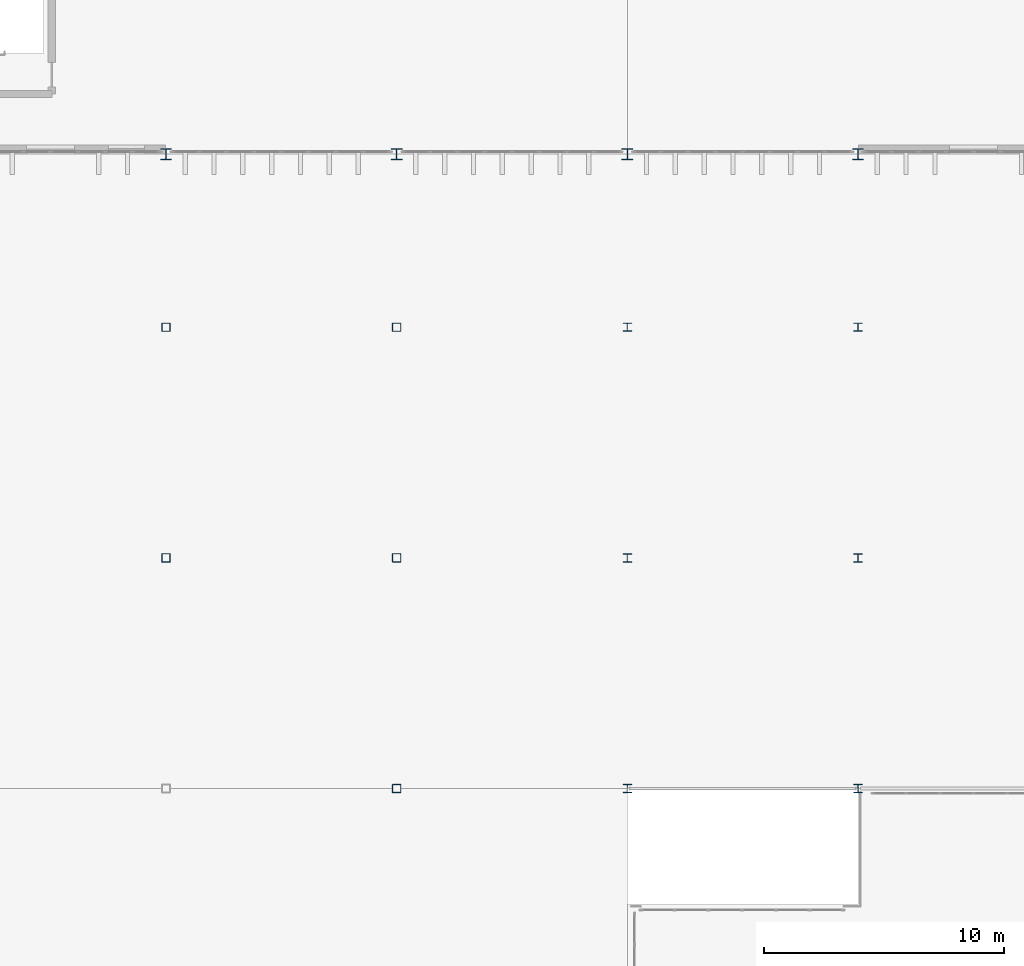
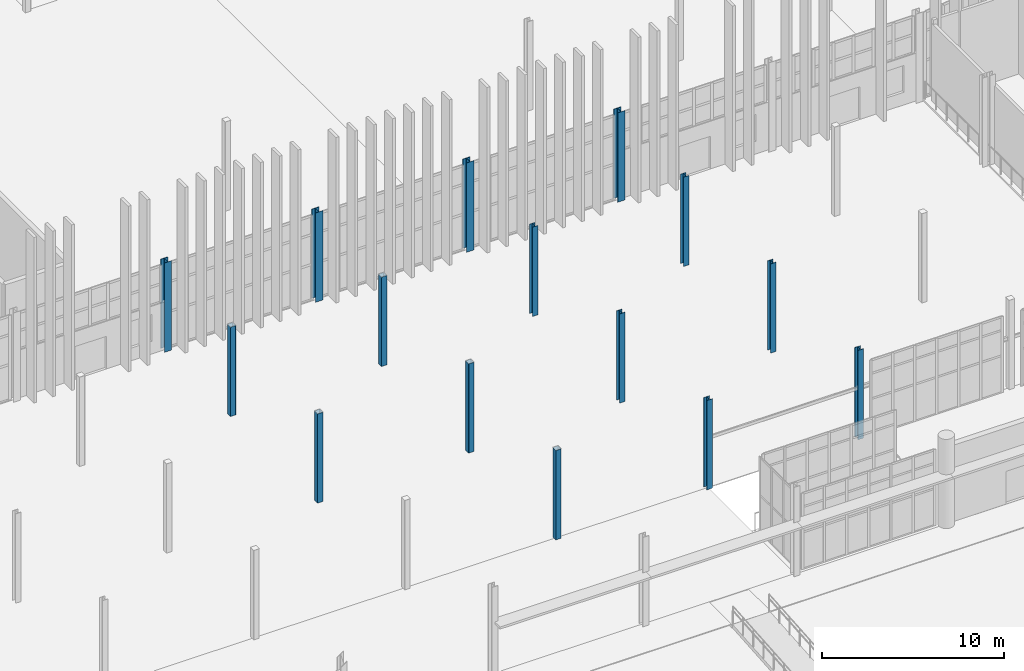
# One storey, part 7 of 139: 15 columns.
"""IFC4 building model written with IfcOpenShell, lengths in metres."""

from ifc_helpers import new_model, si_unit, direction, frame, origin, origin_2d, place, context, subcontext, project, spatial, hollow_rectangle, i_section, extrude, material, material_profile, profile_set, type_object, element, save


model = new_model("IFC4")

# Units and contexts
model_context = context("Model", 3, precision=1e-05, world=origin(), true_north=direction((0.0, 1.0)))
body_context = subcontext(model_context, "Body", "Model", "MODEL_VIEW")
ifc_project = project(units=[si_unit("LENGTHUNIT", "METRE"), si_unit("AREAUNIT", "SQUARE_METRE"), si_unit("VOLUMEUNIT", "CUBIC_METRE"), si_unit("PLANEANGLEUNIT", "RADIAN"), si_unit("MASSUNIT", "GRAM", prefix="KILO")], contexts=[model_context])

# Site, building, storey
site_placement = place(None, origin())
site = spatial("IfcSite", under=ifc_project, at=site_placement, CompositionType="ELEMENT")
building_placement = place(site_placement, origin())
building = spatial("IfcBuilding", under=site, at=building_placement, Name="Yeouljin Market Hall", CompositionType="ELEMENT")
storey_placement = place(building_placement, origin())
storey = spatial("IfcBuildingStorey", under=building, at=storey_placement, Name="L00", CompositionType="ELEMENT", Elevation=0.0)

# Columns
ifc_material_1 = material(Name="Steel SM355", Category="steel")
ifc_material_profile_1 = material_profile(ifc_material_1, i_section(OverallWidth=0.35009765625, OverallDepth=0.35009765625, WebThickness=0.011962890625, FlangeThickness=0.01904296875, FilletRadius=0.02001953125, at=origin_2d()), Name="H-350x350x12x19")
ifc_profile_set_1 = profile_set([ifc_material_profile_1], Name="Steel SM355")
column_type_1 = type_object("IfcColumnType", Name="Col_H-350x350x12x19", PredefinedType="COLUMN", material=ifc_profile_set_1)
for number, where, z_axis, x_axis, name in (
    (1, (112.199951171875, 9.60009765625, 0.0), (0.0, 0.0, 1.0), (1.0, 0.0, 0.0), "Column G-13-01 (L00)"),
    (2, (112.199951171875, 19.199951171875, 0.0), (0.0, 0.0, 1.0), (1.0, 0.0, 0.0), "Column G-13-02 (L00)"),
    (3, (112.199951171875, 28.800048828125, 0.0), (0.0, 0.0, 1.0), (1.0, 0.0, 0.0), "Column G-13-03 (L00)"),
    (4, (121.800048828125, 9.60009765625, 0.0), (0.0, 0.0, 1.0), (1.0, 0.0, 0.0), "Column G-14-01 (L00)"),
    (5, (121.800048828125, 19.199951171875, 0.0), (0.0, 0.0, 1.0), (1.0, 0.0, 0.0), "Column G-14-02 (L00)"),
    (6, (121.800048828125, 28.800048828125, 0.0), (0.0, 0.0, 1.0), (1.0, 0.0, 0.0), "Column G-14-03 (L00)"),
):
    element("IfcColumn", number, at=place(storey_placement, frame(where, z_axis=z_axis, x_axis=x_axis)), inside=storey, type_object=column_type_1, Name=name, PredefinedType="COLUMN", context=body_context, shape_type="SweptSolid", body=[
        extrude(i_section(OverallWidth=0.35009765625, OverallDepth=0.35009765625, WebThickness=0.011962890625, FlangeThickness=0.01904296875, FilletRadius=0.02001953125, at=origin_2d()), origin(), (0.0, 0.0, 1.0), 6.0),
    ])
ifc_material_2 = material(Name="Steel SM355", Category="steel")
ifc_material_profile_2 = material_profile(ifc_material_2, i_section(OverallWidth=0.449951171875, OverallDepth=0.449951171875, WebThickness=0.013916015625, FlangeThickness=0.02392578125, FilletRadius=0.02392578125, at=origin_2d()), Name="H-450x450x14x24")
ifc_profile_set_2 = profile_set([ifc_material_profile_2], Name="Steel SM355")
column_type_2 = type_object("IfcColumnType", Name="Col_H-450x450x14x24", PredefinedType="COLUMN", material=ifc_profile_set_2)
for number, where, z_axis, x_axis, name in (
    (7, (93.0, 36.0, 0.0), (0.0, 0.0, 1.0), (1.0, 0.0, 0.0), "Column G-11-04 (L00)"),
    (8, (102.60009765625, 36.0, 0.0), (0.0, 0.0, 1.0), (1.0, 0.0, 0.0), "Column G-12-04 (L00)"),
    (9, (112.199951171875, 36.0, 0.0), (0.0, 0.0, 1.0), (1.0, 0.0, 0.0), "Column G-13-04 (L00)"),
    (10, (121.800048828125, 36.0, 0.0), (0.0, 0.0, 1.0), (1.0, 0.0, 0.0), "Column G-14-04 (L00)"),
):
    element("IfcColumn", number, at=place(storey_placement, frame(where, z_axis=z_axis, x_axis=x_axis)), inside=storey, type_object=column_type_2, Name=name, PredefinedType="COLUMN", context=body_context, shape_type="SweptSolid", body=[
        extrude(i_section(OverallWidth=0.449951171875, OverallDepth=0.449951171875, WebThickness=0.013916015625, FlangeThickness=0.02392578125, FilletRadius=0.02392578125, at=origin_2d()), origin(), (0.0, 0.0, 1.0), 6.0),
    ])
ifc_material_3 = material(Name="Steel SM355", Category="steel")
ifc_material_profile_3 = material_profile(ifc_material_3, hollow_rectangle(XDim=0.35009765625, YDim=0.35009765625, WallThickness=0.011962890625, InnerFilletRadius=0.011962890625, OuterFilletRadius=0.01611328125, at=origin_2d()), Name="SHS-350x350x12")
ifc_profile_set_3 = profile_set([ifc_material_profile_3], Name="Steel SM355")
column_type_3 = type_object("IfcColumnType", Name="Col_SHS-350x350x12", PredefinedType="COLUMN", material=ifc_profile_set_3)
for number, where, z_axis, x_axis, name in (
    (11, (93.0, 19.199951171875, 0.0), (0.0, 0.0, 1.0), (1.0, 0.0, 0.0), "Column G-11-02 (L00)"),
    (12, (93.0, 28.800048828125, 0.0), (0.0, 0.0, 1.0), (1.0, 0.0, 0.0), "Column G-11-03 (L00)"),
    (13, (102.60009765625, 9.60009765625, 0.0), (0.0, 0.0, 1.0), (1.0, 0.0, 0.0), "Column G-12-01 (L00)"),
    (14, (102.60009765625, 19.199951171875, 0.0), (0.0, 0.0, 1.0), (1.0, 0.0, 0.0), "Column G-12-02 (L00)"),
    (15, (102.60009765625, 28.800048828125, 0.0), (0.0, 0.0, 1.0), (1.0, 0.0, 0.0), "Column G-12-03 (L00)"),
):
    element("IfcColumn", number, at=place(storey_placement, frame(where, z_axis=z_axis, x_axis=x_axis)), inside=storey, type_object=column_type_3, Name=name, PredefinedType="COLUMN", context=body_context, shape_type="SweptSolid", body=[
        extrude(hollow_rectangle(XDim=0.35009765625, YDim=0.35009765625, WallThickness=0.011962890625, InnerFilletRadius=0.011962890625, OuterFilletRadius=0.01611328125, at=origin_2d()), origin(), (0.0, 0.0, 1.0), 6.0),
    ])

save(model, "model.ifc")
